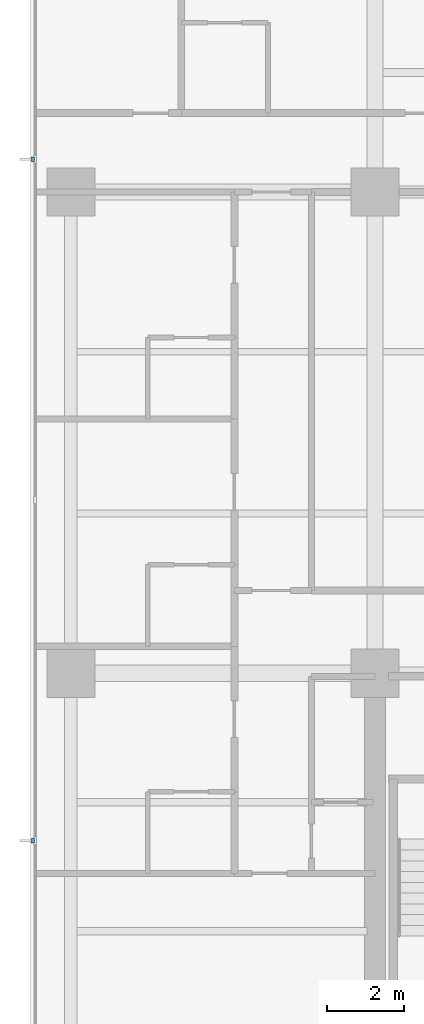
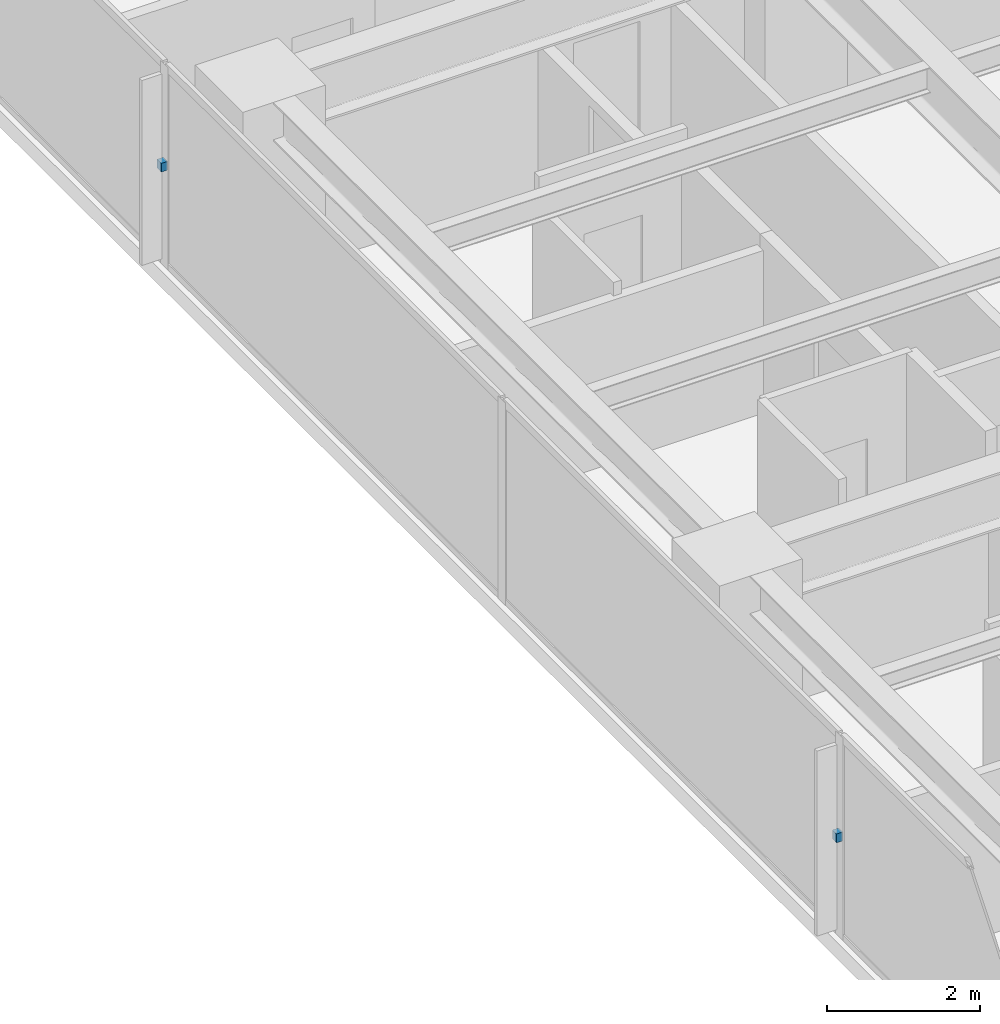
# One storey, part 13 of 18: 2 discrete accessories.
"""IFC4 building model written with IfcOpenShell, lengths in metres."""

from ifc_helpers import new_model, si_unit, direction, frame, origin, place, context, subcontext, project, spatial, polyline, outline, extrude, material, type_object, element, save


model = new_model("IFC4")

# Units and contexts
model_context = context("Model", 3, precision=1e-05, world=origin(), true_north=direction((0.0, 1.0)))
body_context = subcontext(model_context, "Body", "Model", "MODEL_VIEW")
ifc_project = project(units=[si_unit("LENGTHUNIT", "METRE"), si_unit("AREAUNIT", "SQUARE_METRE"), si_unit("VOLUMEUNIT", "CUBIC_METRE"), si_unit("PLANEANGLEUNIT", "RADIAN"), si_unit("MASSUNIT", "GRAM", prefix="KILO")], contexts=[model_context])

# Site, building, storey
site_placement = place(None, origin())
site = spatial("IfcSite", under=ifc_project, at=site_placement, CompositionType="ELEMENT")
building_placement = place(site_placement, origin())
building = spatial("IfcBuilding", under=site, at=building_placement, Name="Qalmaran Belvedere Hotel", CompositionType="ELEMENT")
storey_placement = place(building_placement, frame((0.0, 0.0, 95.199951171875)))
storey = spatial("IfcBuildingStorey", under=building, at=storey_placement, Name="L23", CompositionType="ELEMENT", Elevation=95.199951171875)

# Discrete accessories
ifc_material = material(Name="Stainless Steel 1.4401", Category="steel")
discrete_accessory_type = type_object("IfcDiscreteAccessoryType", Name="BRK-FIN-SS316", PredefinedType="BRACKET", material=ifc_material)
discrete_accessory_1_placement = place(storey_placement, frame((0.0, 0.0, 1.570068359375)))
element("IfcDiscreteAccessory", 1, at=discrete_accessory_1_placement, inside=storey, type_object=discrete_accessory_type, Name="L23 Fin Bracket 1", PredefinedType="BRACKET", context=body_context, shape_type="SweptSolid", body=[
    extrude(outline(polyline([(11.455078125, 33.905029296875), (11.360107421875, 33.905029296875), (11.360107421875, 33.794921875), (11.455078125, 33.794921875), (11.455078125, 33.905029296875)])), origin(), (0.0, 0.0, 1.0), 0.139892578125),
])
discrete_accessory_2_placement = place(storey_placement, frame((0.0, 0.0, 1.570068359375)))
element("IfcDiscreteAccessory", 2, at=discrete_accessory_2_placement, inside=storey, type_object=discrete_accessory_type, Name="L23 Fin Bracket 3", PredefinedType="BRACKET", context=body_context, shape_type="SweptSolid", body=[
    extrude(outline(polyline([(11.455078125, 16.205078125), (11.360107421875, 16.205078125), (11.360107421875, 16.094970703125), (11.455078125, 16.094970703125), (11.455078125, 16.205078125)])), origin(), (0.0, 0.0, 1.0), 0.139892578125),
])

save(model, "model.ifc")
